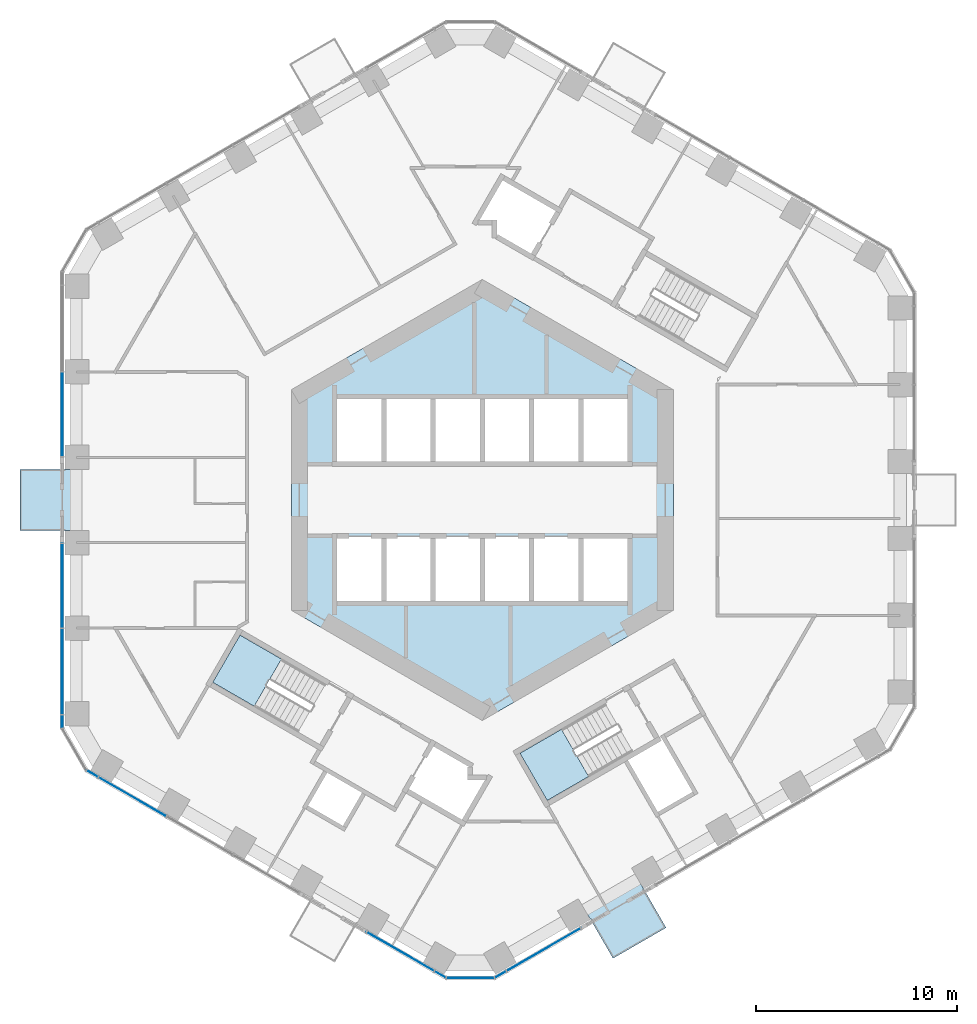
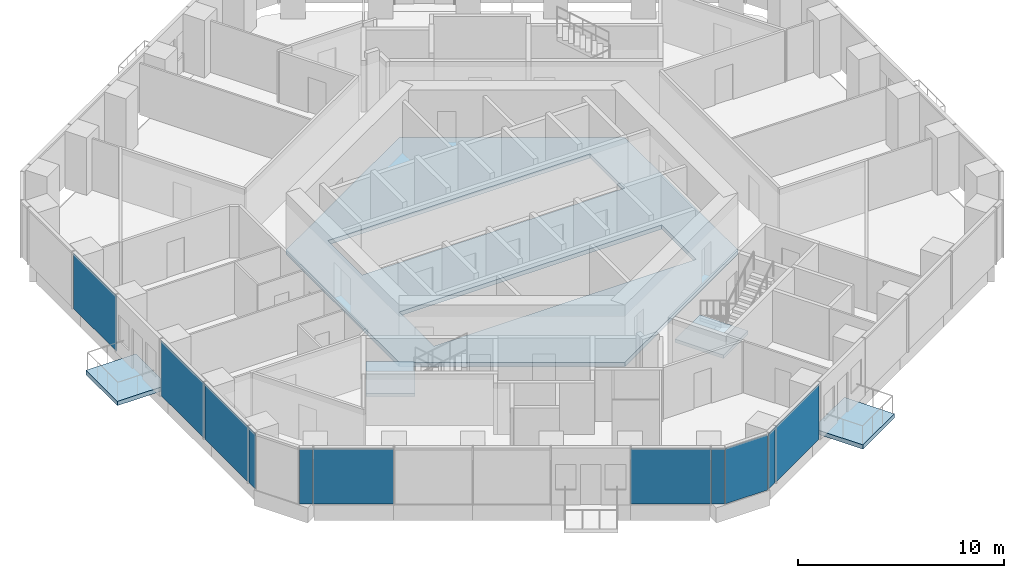
# One storey, part 9 of 20: 11 plates, 5 slabs, 9 elements without a shape of their own.
"""IFC4 building model written with IfcOpenShell, lengths in metres."""

from ifc_helpers import new_model, si_unit, direction, frame, origin, origin_2d, place, context, subcontext, project, spatial, polyline, rectangle, outline, extrude, material, layer, layer_set, type_object, element, aggregate, save


model = new_model("IFC4")

# Units and contexts
model_context = context("Model", 3, precision=1e-05, world=origin(), true_north=direction((0.0, 1.0)))
body_context = subcontext(model_context, "Body", "Model", "MODEL_VIEW")
ifc_project = project(units=[si_unit("LENGTHUNIT", "METRE"), si_unit("AREAUNIT", "SQUARE_METRE"), si_unit("VOLUMEUNIT", "CUBIC_METRE"), si_unit("PLANEANGLEUNIT", "RADIAN"), si_unit("MASSUNIT", "GRAM", prefix="KILO")], contexts=[model_context])

# Site, building, storey
site_placement = place(None, origin())
site = spatial("IfcSite", under=ifc_project, at=site_placement, CompositionType="ELEMENT")
building_placement = place(site_placement, origin())
building = spatial("IfcBuilding", under=site, at=building_placement, Name="Ayvan Gate Tower", CompositionType="ELEMENT")
storey_placement = place(building_placement, frame((0.0, 0.0, 59.5)))
storey = spatial("IfcBuildingStorey", under=building, at=storey_placement, Name="L15", CompositionType="ELEMENT", Elevation=59.5)

# Slabs
ifc_material_1 = material(Name="Concrete C40/50", Category="concrete")
ifc_layer_1 = layer(ifc_material_1, 0.25)
ifc_layer_set_1 = layer_set([ifc_layer_1], Name="Concrete C40/50")
slab_type_1 = type_object("IfcSlabType", Name="Balcony slab 250", PredefinedType="FLOOR", material=ifc_layer_set_1)
slab_1_placement = place(storey_placement, frame((0.0, 0.0, -0.25)))
element("IfcSlab", 1, at=slab_1_placement, inside=storey, type_object=slab_type_1, Name="Balcony slab BAL-L15-3", PredefinedType="FLOOR", context=body_context, shape_type="SweptSolid", body=[
    extrude(outline(polyline([(-20.191162109375, 1.522216796875), (-20.191162109375, -1.522216796875), (-22.9912109375, -1.522216796875), (-22.9912109375, 1.522216796875), (-20.191162109375, 1.522216796875)])), origin(), (0.0, 0.0, 1.0), 0.25),
])
slab_2_placement = place(storey_placement, frame((0.0, 0.0, -0.25)))
element("IfcSlab", 2, at=slab_2_placement, inside=storey, type_object=slab_type_1, Name="Balcony slab BAL-L15-5", PredefinedType="FLOOR", context=body_context, shape_type="SweptSolid", body=[
    extrude(outline(polyline([(5.101806640625, -20.369140625), (7.738037109375, -18.84716796875), (9.13818359375, -21.27197265625), (6.501708984375, -22.794189453125), (5.101806640625, -20.369140625)])), origin(), (0.0, 0.0, 1.0), 0.25),
])
ifc_layer_2 = layer(ifc_material_1, 0.25)
ifc_layer_set_2 = layer_set([ifc_layer_2], Name="Concrete C40/50")
slab_type_2 = type_object("IfcSlabType", Name="SL-CORE-250", PredefinedType="FLOOR", material=ifc_layer_set_2)
slab_3_placement = place(storey_placement, frame((0.0, 0.0, -0.25)))
element("IfcSlab", 3, at=slab_3_placement, inside=storey, type_object=slab_type_2, Name="CS-L15", PredefinedType="FLOOR", context=body_context, shape_type="SweptSolid", body=[
    extrude(outline(polyline([(9.5, -5.48486328125), (0.0, -10.9697265625), (-9.5, -5.48486328125), (-9.5, 5.48486328125), (0.0, 10.9697265625), (9.5, 5.48486328125), (9.5, -5.48486328125)]), holes=[polyline([(-7.35009765625, -1.800048828125), (-7.35009765625, -5.14990234375), (7.35009765625, -5.14990234375), (7.35009765625, -1.800048828125), (-7.35009765625, -1.800048828125)]), polyline([(-7.35009765625, 5.14990234375), (-7.35009765625, 1.800048828125), (7.35009765625, 1.800048828125), (7.35009765625, 5.14990234375), (-7.35009765625, 5.14990234375)])]), origin(), (0.0, 0.0, 1.0), 0.25),
])

# Stair, slab
stair_type = type_object("IfcStairType", Name="ST-EXIT", PredefinedType="HALF_TURN_STAIR", material=ifc_material_1)
stair_1_placement = place(storey_placement, origin())
stair_1 = element("IfcStair", 4, at=stair_1_placement, inside=storey, type_object=stair_type, Name="L15 Exit Stair S2", PredefinedType="HALF_TURN_STAIR")
ifc_layer_3 = layer(ifc_material_1, 0.199951171875)
ifc_layer_set_3 = layer_set([ifc_layer_3], Name="Concrete C40/50")
slab_type_3 = type_object("IfcSlabType", Name="SL-LANDING-200", PredefinedType="LANDING", material=ifc_layer_set_3)
slab_4_placement = place(storey_placement, frame((0.0, 0.0, 1.5)))
slab_4 = element("IfcSlab", 5, at=slab_4_placement, type_object=slab_type_3, Name="STS2 landing 1", PredefinedType="LANDING", context=body_context, shape_type="SweptSolid", body=[
    extrude(outline(polyline([(-9.988525390625, -7.91064453125), (-12.049560546875, -6.720458984375), (-13.404541015625, -9.0673828125), (-11.343505859375, -10.257568359375), (-9.988525390625, -7.91064453125)])), origin(), (0.0, 0.0, 1.0), 0.199951171875),
])
aggregate(stair_1, [slab_4])

stair_2_placement = place(storey_placement, origin())
stair_2 = element("IfcStair", 6, at=stair_2_placement, inside=storey, type_object=stair_type, Name="L15 Exit Stair S3", PredefinedType="HALF_TURN_STAIR")
slab_5_placement = place(storey_placement, frame((0.0, 0.0, 1.5)))
slab_5 = element("IfcSlab", 7, at=slab_5_placement, type_object=slab_type_3, Name="STS3 landing 1", PredefinedType="LANDING", context=body_context, shape_type="SweptSolid", body=[
    extrude(outline(polyline([(3.93505859375, -11.405517578125), (1.873779296875, -12.595458984375), (3.228759765625, -14.9423828125), (5.2900390625, -13.75244140625), (3.93505859375, -11.405517578125)])), origin(), (0.0, 0.0, 1.0), 0.199951171875),
])
aggregate(stair_2, [slab_5])

# Curtain wall, plate
ifc_material_2 = material(Name="Bronze anodised aluminium", Category="aluminium")
ifc_layer_4 = layer(ifc_material_2, 0.199951171875)
ifc_layer_set_4 = layer_set([ifc_layer_4], Name="Bronze anodised aluminium")
curtain_wall_type_1 = type_object("IfcCurtainWallType", Name="Stick curtain wall CW-1", PredefinedType="NOTDEFINED", material=ifc_layer_set_4)
curtain_wall_1_placement = place(storey_placement, origin())
curtain_wall_1 = element("IfcCurtainWall", 8, at=curtain_wall_1_placement, inside=storey, type_object=curtain_wall_type_1, Name="Stick curtain wall CW-1 L15", PredefinedType="NOTDEFINED")
ifc_material_3 = material(Name="Clear low-iron laminated glass", Category="glass")
ifc_layer_5 = layer(ifc_material_3, 0.028076171875)
ifc_layer_set_5 = layer_set([ifc_layer_5], Name="Clear low-iron laminated glass")
plate_type_1 = type_object("IfcPlateType", Name="Stick curtain wall CW-1 glass panel", PredefinedType="CURTAIN_PANEL", material=ifc_layer_set_5)
plate_1_placement = place(storey_placement, frame((-20.89111328125, 4.251220703125, 0.0), z_axis=(0.0, 0.0, 1.0), x_axis=(0.0, -1.0, 0.0)))
plate_1 = element("IfcPlate", 9, at=plate_1_placement, type_object=plate_type_1, Name="CW-1 glass panel 2", PredefinedType="CURTAIN_PANEL", context=body_context, shape_type="SweptSolid", body=[
    extrude(rectangle(XDim=4.19091796875, YDim=0.028076171875, at=origin_2d()), origin(), (0.0, 0.0, 1.0), 3.280029296875),
])
aggregate(curtain_wall_1, [plate_1])

# Curtain wall, plates
curtain_wall_2_placement = place(storey_placement, origin())
curtain_wall_2 = element("IfcCurtainWall", 10, at=curtain_wall_2_placement, inside=storey, type_object=curtain_wall_type_1, Name="Stick curtain wall CW-1 L15", PredefinedType="NOTDEFINED")
plate_2_placement = place(storey_placement, frame((-20.89111328125, -4.250732421875, 0.0), z_axis=(0.0, 0.0, 1.0), x_axis=(0.0, -1.0, 0.0)))
plate_2 = element("IfcPlate", 11, at=plate_2_placement, type_object=plate_type_1, Name="CW-1 glass panel 1", PredefinedType="CURTAIN_PANEL", context=body_context, shape_type="SweptSolid", body=[
    extrude(rectangle(XDim=4.19091796875, YDim=0.028076171875, at=origin_2d()), origin(), (0.0, 0.0, 1.0), 3.280029296875),
])
plate_3_placement = place(storey_placement, frame((-20.89111328125, -8.53955078125, 0.0), z_axis=(0.0, 0.0, 1.0), x_axis=(0.0, -1.0, 0.0)))
plate_3 = element("IfcPlate", 12, at=plate_3_placement, type_object=plate_type_1, Name="CW-1 glass panel 2", PredefinedType="CURTAIN_PANEL", context=body_context, shape_type="SweptSolid", body=[
    extrude(rectangle(XDim=4.2666015625, YDim=0.028076171875, at=origin_2d()), origin(), (0.0, 0.0, 1.0), 3.280029296875),
])
aggregate(curtain_wall_2, [plate_2, plate_3])

# Curtain wall, plate
curtain_wall_3_placement = place(storey_placement, origin())
curtain_wall_3 = element("IfcCurtainWall", 13, at=curtain_wall_3_placement, inside=storey, type_object=curtain_wall_type_1, Name="Stick curtain wall CW-1 L15", PredefinedType="NOTDEFINED")
plate_4_placement = place(storey_placement, frame((-17.412353515625, -14.75537109375, 0.0), z_axis=(0.0, 0.0, 1.0), x_axis=(0.866025403784, -0.5, 0.0)))
plate_4 = element("IfcPlate", 14, at=plate_4_placement, type_object=plate_type_1, Name="CW-1 glass panel 1", PredefinedType="CURTAIN_PANEL", context=body_context, shape_type="SweptSolid", body=[
    extrude(rectangle(XDim=3.885986328125, YDim=0.028076171875, at=origin_2d()), origin(), (0.0, 0.0, 1.0), 3.280029296875),
])
aggregate(curtain_wall_3, [plate_4])

curtain_wall_4_placement = place(storey_placement, origin())
curtain_wall_4 = element("IfcCurtainWall", 15, at=curtain_wall_4_placement, inside=storey, type_object=curtain_wall_type_1, Name="Stick curtain wall CW-1 L15", PredefinedType="NOTDEFINED")
plate_5_placement = place(storey_placement, frame((-4.072265625, -22.457275390625, 0.0), z_axis=(0.0, 0.0, 1.0), x_axis=(0.866025403784, -0.5, 0.0)))
plate_5 = element("IfcPlate", 16, at=plate_5_placement, type_object=plate_type_1, Name="CW-1 glass panel 1", PredefinedType="CURTAIN_PANEL", context=body_context, shape_type="SweptSolid", body=[
    extrude(rectangle(XDim=3.8857421875, YDim=0.028076171875, at=origin_2d()), origin(), (0.0, 0.0, 1.0), 3.280029296875),
])
aggregate(curtain_wall_4, [plate_5])

curtain_wall_5_placement = place(storey_placement, origin())
curtain_wall_5 = element("IfcCurtainWall", 17, at=curtain_wall_5_placement, inside=storey, type_object=curtain_wall_type_1, Name="Stick curtain wall CW-1 L15", PredefinedType="NOTDEFINED")
plate_6_placement = place(storey_placement, frame((3.050048828125, -22.362060546875, 0.0), z_axis=(0.0, 0.0, 1.0), x_axis=(0.866025403784, 0.5, 0.0)))
plate_6 = element("IfcPlate", 18, at=plate_6_placement, type_object=plate_type_1, Name="CW-1 glass panel 1", PredefinedType="CURTAIN_PANEL", context=body_context, shape_type="SweptSolid", body=[
    extrude(rectangle(XDim=4.26611328125, YDim=0.028076171875, at=origin_2d()), origin(), (0.0, 0.0, 1.0), 3.280029296875),
])
aggregate(curtain_wall_5, [plate_6])

# Curtain wall, plates
ifc_layer_6 = layer(ifc_material_2, 0.199951171875)
ifc_layer_set_6 = layer_set([ifc_layer_6], Name="Bronze anodised aluminium")
curtain_wall_type_2 = type_object("IfcCurtainWallType", Name="Stick curtain wall CW-6", PredefinedType="NOTDEFINED", material=ifc_layer_set_6)
curtain_wall_6_placement = place(storey_placement, origin())
curtain_wall_6 = element("IfcCurtainWall", 19, at=curtain_wall_6_placement, inside=storey, type_object=curtain_wall_type_2, Name="Stick curtain wall CW-6 L15", PredefinedType="NOTDEFINED")
ifc_layer_7 = layer(ifc_material_3, 0.028076171875)
ifc_layer_set_7 = layer_set([ifc_layer_7], Name="Clear low-iron laminated glass")
plate_type_2 = type_object("IfcPlateType", Name="Stick curtain wall CW-6 glass panel", PredefinedType="CURTAIN_PANEL", material=ifc_layer_set_7)
plate_7_placement = place(storey_placement, frame((-20.89111328125, -11.01513671875, 0.0), z_axis=(0.0, 0.0, 1.0), x_axis=(0.0, -1.0, 0.0)))
plate_7 = element("IfcPlate", 20, at=plate_7_placement, type_object=plate_type_2, Name="CW-6 glass panel 1", PredefinedType="CURTAIN_PANEL", context=body_context, shape_type="SweptSolid", body=[
    extrude(rectangle(XDim=0.625, YDim=0.028076171875, at=origin_2d()), origin(), (0.0, 0.0, 1.0), 3.280029296875),
])
plate_8_placement = place(storey_placement, frame((-19.3916015625, -13.612548828125, 0.0), z_axis=(0.0, 0.0, 1.0), x_axis=(0.866025403784, -0.5, 0.0)))
plate_8 = element("IfcPlate", 21, at=plate_8_placement, type_object=plate_type_2, Name="CW-6 glass panel 3", PredefinedType="CURTAIN_PANEL", context=body_context, shape_type="SweptSolid", body=[
    extrude(rectangle(XDim=0.625, YDim=0.028076171875, at=origin_2d()), origin(), (0.0, 0.0, 1.0), 3.280029296875),
])
aggregate(curtain_wall_6, [plate_7, plate_8])

curtain_wall_7_placement = place(storey_placement, origin())
curtain_wall_7 = element("IfcCurtainWall", 22, at=curtain_wall_7_placement, inside=storey, type_object=curtain_wall_type_2, Name="Stick curtain wall CW-6 L15", PredefinedType="NOTDEFINED")
plate_9_placement = place(storey_placement, frame((-2.093017578125, -23.599853515625, 0.0), z_axis=(0.0, 0.0, 1.0), x_axis=(0.866025403784, -0.5, 0.0)))
plate_9 = element("IfcPlate", 23, at=plate_9_placement, type_object=plate_type_2, Name="CW-6 glass panel 1", PredefinedType="CURTAIN_PANEL", context=body_context, shape_type="SweptSolid", body=[
    extrude(rectangle(XDim=0.625, YDim=0.028076171875, at=origin_2d()), origin(), (0.0, 0.0, 1.0), 3.280029296875),
])
plate_10_placement = place(storey_placement, frame((-0.593505859375, -23.7685546875, 0.0), z_axis=(0.0, 0.0, 1.0), x_axis=(1.0, 0.0, 0.0)))
plate_10 = element("IfcPlate", 24, at=plate_10_placement, type_object=plate_type_2, Name="CW-6 glass panel 2", PredefinedType="CURTAIN_PANEL", context=body_context, shape_type="SweptSolid", body=[
    extrude(rectangle(XDim=2.364501953125, YDim=0.028076171875, at=origin_2d()), origin(), (0.0, 0.0, 1.0), 3.280029296875),
])
plate_11_placement = place(storey_placement, frame((0.906005859375, -23.599853515625, 0.0), z_axis=(0.0, 0.0, 1.0), x_axis=(0.866025403784, 0.5, 0.0)))
plate_11 = element("IfcPlate", 25, at=plate_11_placement, type_object=plate_type_2, Name="CW-6 glass panel 3", PredefinedType="CURTAIN_PANEL", context=body_context, shape_type="SweptSolid", body=[
    extrude(rectangle(XDim=0.625, YDim=0.028076171875, at=origin_2d()), origin(), (0.0, 0.0, 1.0), 3.280029296875),
])
aggregate(curtain_wall_7, [plate_9, plate_10, plate_11])

save(model, "model.ifc")
